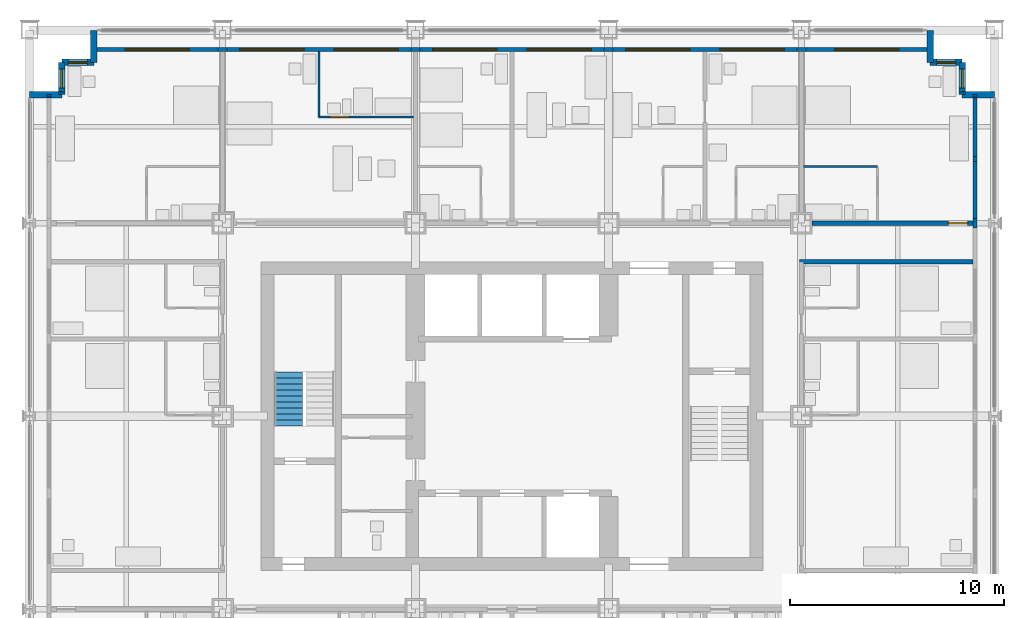
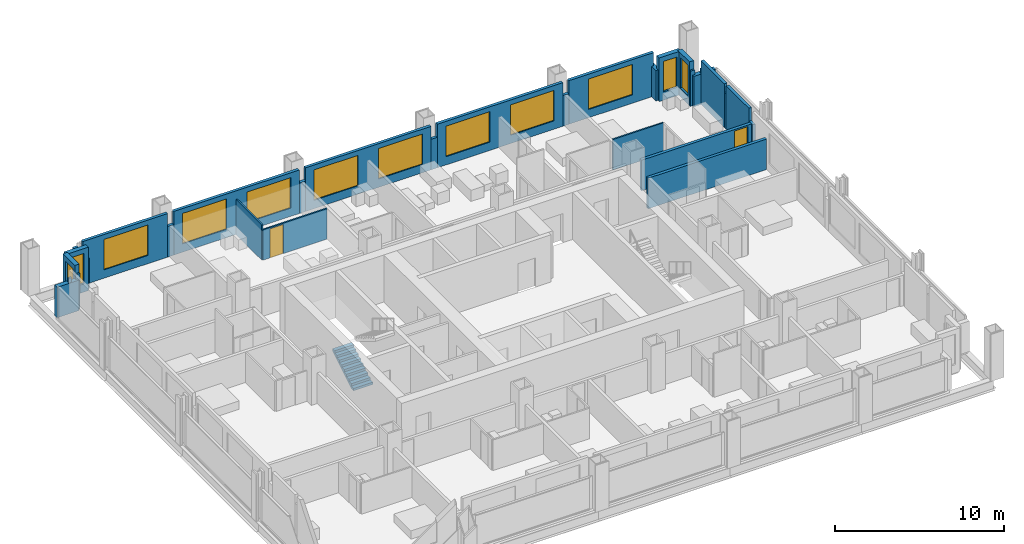
# One storey, part 13 of 17: 30 walls, 12 windows, 2 doors, 1 stair flight, 14 openings, 1 element without a shape of its own.
"""IFC4 building model written with IfcOpenShell, lengths in metres."""

from ifc_helpers import new_model, si_unit, direction, frame, frame_2d, origin, place, context, subcontext, project, spatial, polyline, rectangle, outline, extrude, material, layer, layer_set, type_object, element, fill, aggregate, save


model = new_model("IFC4")

# Units and contexts
model_context = context("Model", 3, precision=1e-05, world=origin(), true_north=direction((0.0, 1.0)))
body_context = subcontext(model_context, "Body", "Model", "MODEL_VIEW")
ifc_project = project(units=[si_unit("LENGTHUNIT", "METRE"), si_unit("AREAUNIT", "SQUARE_METRE"), si_unit("VOLUMEUNIT", "CUBIC_METRE"), si_unit("PLANEANGLEUNIT", "RADIAN"), si_unit("MASSUNIT", "GRAM", prefix="KILO")], contexts=[model_context])

# Site, building, storey
site_placement = place(None, origin())
site = spatial("IfcSite", under=ifc_project, at=site_placement, CompositionType="ELEMENT")
building_placement = place(site_placement, origin())
building = spatial("IfcBuilding", under=site, at=building_placement, Name="Loomwork Tower", CompositionType="ELEMENT")
storey_placement = place(building_placement, frame((0.0, 0.0, 152.0)))
storey = spatial("IfcBuildingStorey", under=building, at=storey_placement, Name="L41", CompositionType="ELEMENT", Elevation=152.0)

# Wall, opening, door
ifc_material_1 = material(Name="Gypsum board on steel studs, one-hour", Category="steel")
ifc_layer_1 = layer(ifc_material_1, 0.199951171875)
ifc_layer_set_1 = layer_set([ifc_layer_1], Name="Corridor wall 200")
wall_type_1 = type_object("IfcWallType", Name="Corridor wall 200", PredefinedType="PARTITIONING", material=ifc_layer_set_1)
wall_1_placement = place(storey_placement, frame((36.5, 27.0, 0.0), z_axis=(0.0, 0.0, 1.0), x_axis=(1.0, 0.0, 0.0)))
wall_1 = element("IfcWall", 1, at=wall_1_placement, inside=storey, type_object=wall_type_1, Name="North corridor wall 5", PredefinedType="PARTITIONING", context=body_context, shape_type="SweptSolid", body=[
    extrude(rectangle(XDim=7.5, YDim=0.199951171875, at=frame_2d((3.75, 0.0))), origin(), (0.0, 0.0, 1.0), 2.210205078125),
])
opening_1_placement = place(wall_1_placement, frame((6.35009765625, 0.0, 0.0)))
opening_1 = element("IfcOpeningElement", 2, at=opening_1_placement, cuts=wall_1, Name="Opening D1", PredefinedType="OPENING", context=body_context, shape_type="SweptSolid", body=[
    extrude(rectangle(XDim=0.89990234375, YDim=2.10009765625, at=frame_2d((0.449951171875, 1.050048828125))), frame((0.0, 0.10986328125, 0.0), z_axis=(0.0, -1.0, 0.0), x_axis=(1.0, 0.0, 0.0)), (0.0, 0.0, 1.0), 0.219970703125),
])
ifc_material_2 = material(Name="Hollow metal door and frame")
door_type_1 = type_object("IfcDoorType", Name="Guest room entry door 900", OperationType="SINGLE_SWING_LEFT", PredefinedType="DOOR", material=ifc_material_2)
door_1_placement = place(opening_1_placement, origin())
door_1 = element("IfcDoor", 3, at=door_1_placement, inside=storey, type_object=door_type_1, Name="Guest room entry door L41 12", OperationType="SINGLE_SWING_RIGHT", OverallHeight=2.10009765625, OverallWidth=0.89990234375, PredefinedType="DOOR", context=body_context, shape_type="SweptSolid", body=[
    extrude(rectangle(XDim=0.89990234375, YDim=2.10009765625, at=frame_2d((0.449951171875, 1.050048828125))), frame((0.0, 0.02490234375, 0.0), z_axis=(0.0, -1.0, 0.0), x_axis=(1.0, 0.0, 0.0)), (0.0, 0.0, 1.0), 0.050048828125),
])
fill(opening_1, door_1)

# Wall
wall_2_placement = place(storey_placement, frame((35.89990234375, 25.199951171875, 0.0), z_axis=(0.0, 0.0, 1.0), x_axis=(1.0, 0.0, 0.0)))
element("IfcWall", 4, at=wall_2_placement, inside=storey, type_object=wall_type_1, Name="East band end wall N", PredefinedType="PARTITIONING", context=body_context, shape_type="SweptSolid", body=[
    extrude(rectangle(XDim=8.10009765625, YDim=0.199951171875, at=frame_2d((4.050048828125, 0.0))), origin(), (0.0, 0.0, 1.0), 2.2099609375),
])

# Wall, opening, door
ifc_material_3 = material(Name="Cement board on steel studs", Category="steel")
ifc_layer_2 = layer(ifc_material_3, 0.10009765625)
ifc_layer_set_2 = layer_set([ifc_layer_2], Name="En-suite partition 100")
wall_type_2 = type_object("IfcWallType", Name="En-suite partition 100", PredefinedType="PARTITIONING", material=ifc_layer_set_2)
wall_3_placement = place(storey_placement, frame((13.5, 31.949951171875, 0.0), z_axis=(0.0, 0.0, 1.0), x_axis=(1.0, 0.0, 0.0)))
wall_3 = element("IfcWall", 5, at=wall_3_placement, inside=storey, type_object=wall_type_2, Name="Spa bathroom wall L41 room 8", PredefinedType="PARTITIONING", context=body_context, shape_type="SweptSolid", body=[
    extrude(rectangle(XDim=4.39990234375, YDim=0.10009765625, at=frame_2d((2.199951171875, 0.0))), origin(), (0.0, 0.0, 1.0), 2.201904296875),
])
opening_2_placement = place(wall_3_placement, frame((0.5, 0.0, 0.0)))
opening_2 = element("IfcOpeningElement", 6, at=opening_2_placement, cuts=wall_3, Name="Opening D2", PredefinedType="OPENING", context=body_context, shape_type="SweptSolid", body=[
    extrude(rectangle(XDim=0.89990234375, YDim=2.10009765625, at=frame_2d((0.449951171875, 1.050048828125))), frame((0.0, 0.06005859375, 0.0), z_axis=(0.0, -1.0, 0.0), x_axis=(1.0, 0.0, 0.0)), (0.0, 0.0, 1.0), 0.1201171875),
])
ifc_material_4 = material(Name="Hollow metal door and frame")
door_type_2 = type_object("IfcDoorType", Name="En-suite door 900", OperationType="SINGLE_SWING_LEFT", PredefinedType="DOOR", material=ifc_material_4)
door_2_placement = place(opening_2_placement, origin())
door_2 = element("IfcDoor", 7, at=door_2_placement, inside=storey, type_object=door_type_2, Name="Spa bathroom door room 8", OperationType="SINGLE_SWING_LEFT", OverallHeight=2.10009765625, OverallWidth=0.89990234375, PredefinedType="DOOR", context=body_context, shape_type="SweptSolid", body=[
    extrude(rectangle(XDim=0.89990234375, YDim=2.10009765625, at=frame_2d((0.449951171875, 1.050048828125))), frame((0.0, 0.02490234375, 0.0), z_axis=(0.0, -1.0, 0.0), x_axis=(1.0, 0.0, 0.0)), (0.0, 0.0, 1.0), 0.050048828125),
])
fill(opening_2, door_2)

# Walls
wall_4_placement = place(storey_placement, frame((13.5, 31.949951171875, 0.0), z_axis=(0.0, 0.0, 1.0), x_axis=(0.0, 1.0, 0.0)))
element("IfcWall", 8, at=wall_4_placement, inside=storey, type_object=wall_type_2, Name="Spa bathroom side wall L41 room 8", PredefinedType="PARTITIONING", context=body_context, shape_type="SweptSolid", body=[
    extrude(rectangle(XDim=3.050048828125, YDim=0.10009765625, at=frame_2d((1.52490234375, 0.0))), origin(), (0.0, 0.0, 1.0), 2.5419921875),
])
wall_5_placement = place(storey_placement, frame((36.10009765625, 29.64990234375, 0.0), z_axis=(0.0, 0.0, 1.0), x_axis=(1.0, 0.0, 0.0)))
element("IfcWall", 9, at=wall_5_placement, inside=storey, type_object=wall_type_2, Name="En-suite wall L41 room 12", PredefinedType="PARTITIONING", context=body_context, shape_type="SweptSolid", body=[
    extrude(rectangle(XDim=3.449951171875, YDim=0.10009765625, at=frame_2d((1.72509765625, 0.0))), origin(), (0.0, 0.0, 1.0), 2.2099609375),
])

# Wall, opening, window
ifc_material_5 = material(Name="Insulated steel stud wall with gypsum lining", Category="steel")
ifc_layer_3 = layer(ifc_material_5, 0.199951171875)
ifc_layer_set_3 = layer_set([ifc_layer_3], Name="Inner skin wall 200")
wall_type_3 = type_object("IfcWallType", Name="Inner skin wall 200", PredefinedType="SOLIDWALL", material=ifc_layer_set_3)
wall_6_placement = place(storey_placement, frame((3.0, 35.10009765625, 0.0), z_axis=(0.0, 0.0, 1.0), x_axis=(1.0, 0.0, 0.0)))
wall_6 = element("IfcWall", 10, at=wall_6_placement, inside=storey, type_object=wall_type_3, Name="Inner skin wall N", PredefinedType="SOLIDWALL", context=body_context, shape_type="SweptSolid", body=[
    extrude(rectangle(XDim=5.78466796875, YDim=0.199951171875, at=frame_2d((2.892333984375, 0.0))), origin(), (0.0, 0.0, 1.0), 3.14990234375),
])
opening_3_placement = place(wall_6_placement, frame((1.449951171875, 0.0, 0.60009765625)))
opening_3 = element("IfcOpeningElement", 11, at=opening_3_placement, cuts=wall_6, Name="Opening CH1", PredefinedType="OPENING", context=body_context, shape_type="SweptSolid", body=[
    extrude(rectangle(XDim=3.0, YDim=2.199951171875, at=frame_2d((1.5, 1.10009765625))), frame((0.0, 0.10986328125, 0.0), z_axis=(0.0, -1.0, 0.0), x_axis=(1.0, 0.0, 0.0)), (0.0, 0.0, 1.0), 0.219970703125),
])
ifc_material_6 = material(Name="Aluminium frame with clear insulated glass", Category="aluminium")
window_type_1 = type_object("IfcWindowType", Name="Chicago window 3000", PartitioningType="TRIPLE_PANEL_VERTICAL", PredefinedType="WINDOW", material=ifc_material_6)
window_1_placement = place(opening_3_placement, origin())
window_1 = element("IfcWindow", 12, at=window_1_placement, inside=storey, type_object=window_type_1, Name="Chicago window L41 bay 6", OverallHeight=2.199951171875, OverallWidth=3.0, PartitioningType="TRIPLE_PANEL_VERTICAL", PredefinedType="WINDOW", context=body_context, shape_type="SweptSolid", body=[
    extrude(rectangle(XDim=3.0, YDim=2.199951171875, at=frame_2d((1.5, 1.10009765625))), frame((0.0, 0.030029296875, 0.0), z_axis=(0.0, -1.0, 0.0), x_axis=(1.0, 0.0, 0.0)), (0.0, 0.0, 1.0), 0.06005859375),
])
fill(opening_3, window_1)

# Walls
wall_7_placement = place(storey_placement, frame((0.89990234375, 32.8837890625, 0.0), z_axis=(0.0, 0.0, 1.0), x_axis=(0.0, 1.0, 0.0)))
element("IfcWall", 13, at=wall_7_placement, inside=storey, type_object=wall_type_3, Name="Inner skin wall W bay 13", PredefinedType="SOLIDWALL", context=body_context, shape_type="SweptSolid", body=[
    extrude(rectangle(XDim=0.1162109375, YDim=0.199951171875, at=frame_2d((0.05810546875, 0.0))), origin(), (0.0, 0.0, 1.0), 2.5419921875),
])
wall_8_placement = place(storey_placement, frame((8.78466796875, 35.10009765625, 0.0), z_axis=(0.0, 0.0, 1.0), x_axis=(1.0, 0.0, 0.0)))
element("IfcWall", 14, at=wall_8_placement, inside=storey, type_object=wall_type_3, Name="Inner skin wall N bay 2", PredefinedType="SOLIDWALL", context=body_context, shape_type="SweptSolid", body=[
    extrude(rectangle(XDim=0.4306640625, YDim=0.199951171875, at=frame_2d((0.21533203125, 0.0))), origin(), (0.0, 0.0, 1.0), 2.2099609375),
])

# Wall, openings, windows
wall_9_placement = place(storey_placement, frame((9.21533203125, 35.10009765625, 0.0), z_axis=(0.0, 0.0, 1.0), x_axis=(1.0, 0.0, 0.0)))
wall_9 = element("IfcWall", 15, at=wall_9_placement, inside=storey, type_object=wall_type_3, Name="Inner skin wall N bay 3", PredefinedType="SOLIDWALL", context=body_context, shape_type="SweptSolid", body=[
    extrude(rectangle(XDim=8.570556640625, YDim=0.199951171875, at=frame_2d((4.28515625, 0.0))), origin(), (0.0, 0.0, 1.0), 3.14990234375),
])
opening_4_placement = place(wall_9_placement, frame((0.584716796875, 0.0, 0.60009765625)))
opening_4 = element("IfcOpeningElement", 16, at=opening_4_placement, cuts=wall_9, Name="Opening CH1", PredefinedType="OPENING", context=body_context, shape_type="SweptSolid", body=[
    extrude(rectangle(XDim=3.0, YDim=2.199951171875, at=frame_2d((1.5, 1.10009765625))), frame((0.0, 0.10986328125, 0.0), z_axis=(0.0, -1.0, 0.0), x_axis=(1.0, 0.0, 0.0)), (0.0, 0.0, 1.0), 0.219970703125),
])
opening_5_placement = place(wall_9_placement, frame((4.984619140625, 0.0, 0.60009765625)))
opening_5 = element("IfcOpeningElement", 17, at=opening_5_placement, cuts=wall_9, Name="Opening CH1", PredefinedType="OPENING", context=body_context, shape_type="SweptSolid", body=[
    extrude(rectangle(XDim=3.0, YDim=2.199951171875, at=frame_2d((1.5, 1.10009765625))), frame((0.0, 0.10986328125, 0.0), z_axis=(0.0, -1.0, 0.0), x_axis=(1.0, 0.0, 0.0)), (0.0, 0.0, 1.0), 0.219970703125),
])
window_2_placement = place(opening_4_placement, origin())
window_2 = element("IfcWindow", 18, at=window_2_placement, inside=storey, type_object=window_type_1, Name="Chicago window L41 bay 7", OverallHeight=2.199951171875, OverallWidth=3.0, PartitioningType="TRIPLE_PANEL_VERTICAL", PredefinedType="WINDOW", context=body_context, shape_type="SweptSolid", body=[
    extrude(rectangle(XDim=3.0, YDim=2.199951171875, at=frame_2d((1.5, 1.10009765625))), frame((0.0, 0.030029296875, 0.0), z_axis=(0.0, -1.0, 0.0), x_axis=(1.0, 0.0, 0.0)), (0.0, 0.0, 1.0), 0.06005859375),
])
fill(opening_4, window_2)
window_3_placement = place(opening_5_placement, origin())
window_3 = element("IfcWindow", 19, at=window_3_placement, inside=storey, type_object=window_type_1, Name="Chicago window L41 bay 7", OverallHeight=2.199951171875, OverallWidth=3.0, PartitioningType="TRIPLE_PANEL_VERTICAL", PredefinedType="WINDOW", context=body_context, shape_type="SweptSolid", body=[
    extrude(rectangle(XDim=3.0, YDim=2.199951171875, at=frame_2d((1.5, 1.10009765625))), frame((0.0, 0.030029296875, 0.0), z_axis=(0.0, -1.0, 0.0), x_axis=(1.0, 0.0, 0.0)), (0.0, 0.0, 1.0), 0.06005859375),
])
fill(opening_5, window_3)

# Wall
wall_10_placement = place(storey_placement, frame((17.785888671875, 35.10009765625, 0.0), z_axis=(0.0, 0.0, 1.0), x_axis=(1.0, 0.0, 0.0)))
element("IfcWall", 20, at=wall_10_placement, inside=storey, type_object=wall_type_3, Name="Inner skin wall N bay 4", PredefinedType="SOLIDWALL", context=body_context, shape_type="SweptSolid", body=[
    extrude(rectangle(XDim=0.42822265625, YDim=0.199951171875, at=frame_2d((0.214111328125, 0.0))), origin(), (0.0, 0.0, 1.0), 2.201904296875),
])

# Wall, openings, windows
wall_11_placement = place(storey_placement, frame((18.214111328125, 35.10009765625, 0.0), z_axis=(0.0, 0.0, 1.0), x_axis=(1.0, 0.0, 0.0)))
wall_11 = element("IfcWall", 21, at=wall_11_placement, inside=storey, type_object=wall_type_3, Name="Inner skin wall N bay 5", PredefinedType="SOLIDWALL", context=body_context, shape_type="SweptSolid", body=[
    extrude(rectangle(XDim=8.57177734375, YDim=0.199951171875, at=frame_2d((4.285888671875, 0.0))), origin(), (0.0, 0.0, 1.0), 3.14990234375),
])
opening_6_placement = place(wall_11_placement, frame((0.5859375, 0.0, 0.60009765625)))
opening_6 = element("IfcOpeningElement", 22, at=opening_6_placement, cuts=wall_11, Name="Opening CH1", PredefinedType="OPENING", context=body_context, shape_type="SweptSolid", body=[
    extrude(rectangle(XDim=3.0, YDim=2.199951171875, at=frame_2d((1.5, 1.10009765625))), frame((0.0, 0.10986328125, 0.0), z_axis=(0.0, -1.0, 0.0), x_axis=(1.0, 0.0, 0.0)), (0.0, 0.0, 1.0), 0.219970703125),
])
opening_7_placement = place(wall_11_placement, frame((4.98583984375, 0.0, 0.60009765625)))
opening_7 = element("IfcOpeningElement", 23, at=opening_7_placement, cuts=wall_11, Name="Opening CH1", PredefinedType="OPENING", context=body_context, shape_type="SweptSolid", body=[
    extrude(rectangle(XDim=3.0, YDim=2.199951171875, at=frame_2d((1.5, 1.10009765625))), frame((0.0, 0.10986328125, 0.0), z_axis=(0.0, -1.0, 0.0), x_axis=(1.0, 0.0, 0.0)), (0.0, 0.0, 1.0), 0.219970703125),
])
window_4_placement = place(opening_6_placement, origin())
window_4 = element("IfcWindow", 24, at=window_4_placement, inside=storey, type_object=window_type_1, Name="Chicago window L41 bay 8", OverallHeight=2.199951171875, OverallWidth=3.0, PartitioningType="TRIPLE_PANEL_VERTICAL", PredefinedType="WINDOW", context=body_context, shape_type="SweptSolid", body=[
    extrude(rectangle(XDim=3.0, YDim=2.199951171875, at=frame_2d((1.5, 1.10009765625))), frame((0.0, 0.030029296875, 0.0), z_axis=(0.0, -1.0, 0.0), x_axis=(1.0, 0.0, 0.0)), (0.0, 0.0, 1.0), 0.06005859375),
])
fill(opening_6, window_4)
window_5_placement = place(opening_7_placement, origin())
window_5 = element("IfcWindow", 25, at=window_5_placement, inside=storey, type_object=window_type_1, Name="Chicago window L41 bay 8", OverallHeight=2.199951171875, OverallWidth=3.0, PartitioningType="TRIPLE_PANEL_VERTICAL", PredefinedType="WINDOW", context=body_context, shape_type="SweptSolid", body=[
    extrude(rectangle(XDim=3.0, YDim=2.199951171875, at=frame_2d((1.5, 1.10009765625))), frame((0.0, 0.030029296875, 0.0), z_axis=(0.0, -1.0, 0.0), x_axis=(1.0, 0.0, 0.0)), (0.0, 0.0, 1.0), 0.06005859375),
])
fill(opening_7, window_5)

# Wall
wall_12_placement = place(storey_placement, frame((26.785888671875, 35.10009765625, 0.0), z_axis=(0.0, 0.0, 1.0), x_axis=(1.0, 0.0, 0.0)))
element("IfcWall", 26, at=wall_12_placement, inside=storey, type_object=wall_type_3, Name="Inner skin wall N bay 6", PredefinedType="SOLIDWALL", context=body_context, shape_type="SweptSolid", body=[
    extrude(rectangle(XDim=0.42822265625, YDim=0.199951171875, at=frame_2d((0.214111328125, 0.0))), origin(), (0.0, 0.0, 1.0), 2.201904296875),
])

# Wall, openings, windows
wall_13_placement = place(storey_placement, frame((27.214111328125, 35.10009765625, 0.0), z_axis=(0.0, 0.0, 1.0), x_axis=(1.0, 0.0, 0.0)))
wall_13 = element("IfcWall", 27, at=wall_13_placement, inside=storey, type_object=wall_type_3, Name="Inner skin wall N bay 7", PredefinedType="SOLIDWALL", context=body_context, shape_type="SweptSolid", body=[
    extrude(rectangle(XDim=8.570556640625, YDim=0.199951171875, at=frame_2d((4.28515625, 0.0))), origin(), (0.0, 0.0, 1.0), 3.14990234375),
])
opening_8_placement = place(wall_13_placement, frame((0.5859375, 0.0, 0.60009765625)))
opening_8 = element("IfcOpeningElement", 28, at=opening_8_placement, cuts=wall_13, Name="Opening CH1", PredefinedType="OPENING", context=body_context, shape_type="SweptSolid", body=[
    extrude(rectangle(XDim=3.0, YDim=2.199951171875, at=frame_2d((1.5, 1.10009765625))), frame((0.0, 0.10986328125, 0.0), z_axis=(0.0, -1.0, 0.0), x_axis=(1.0, 0.0, 0.0)), (0.0, 0.0, 1.0), 0.219970703125),
])
opening_9_placement = place(wall_13_placement, frame((4.98583984375, 0.0, 0.60009765625)))
opening_9 = element("IfcOpeningElement", 29, at=opening_9_placement, cuts=wall_13, Name="Opening CH1", PredefinedType="OPENING", context=body_context, shape_type="SweptSolid", body=[
    extrude(rectangle(XDim=3.0, YDim=2.199951171875, at=frame_2d((1.5, 1.10009765625))), frame((0.0, 0.10986328125, 0.0), z_axis=(0.0, -1.0, 0.0), x_axis=(1.0, 0.0, 0.0)), (0.0, 0.0, 1.0), 0.219970703125),
])
window_6_placement = place(opening_8_placement, origin())
window_6 = element("IfcWindow", 30, at=window_6_placement, inside=storey, type_object=window_type_1, Name="Chicago window L41 bay 9", OverallHeight=2.199951171875, OverallWidth=3.0, PartitioningType="TRIPLE_PANEL_VERTICAL", PredefinedType="WINDOW", context=body_context, shape_type="SweptSolid", body=[
    extrude(rectangle(XDim=3.0, YDim=2.199951171875, at=frame_2d((1.5, 1.10009765625))), frame((0.0, 0.030029296875, 0.0), z_axis=(0.0, -1.0, 0.0), x_axis=(1.0, 0.0, 0.0)), (0.0, 0.0, 1.0), 0.06005859375),
])
fill(opening_8, window_6)
window_7_placement = place(opening_9_placement, origin())
window_7 = element("IfcWindow", 31, at=window_7_placement, inside=storey, type_object=window_type_1, Name="Chicago window L41 bay 9", OverallHeight=2.199951171875, OverallWidth=3.0, PartitioningType="TRIPLE_PANEL_VERTICAL", PredefinedType="WINDOW", context=body_context, shape_type="SweptSolid", body=[
    extrude(rectangle(XDim=3.0, YDim=2.199951171875, at=frame_2d((1.5, 1.10009765625))), frame((0.0, 0.030029296875, 0.0), z_axis=(0.0, -1.0, 0.0), x_axis=(1.0, 0.0, 0.0)), (0.0, 0.0, 1.0), 0.06005859375),
])
fill(opening_9, window_7)

# Wall
wall_14_placement = place(storey_placement, frame((35.78466796875, 35.10009765625, 0.0), z_axis=(0.0, 0.0, 1.0), x_axis=(1.0, 0.0, 0.0)))
element("IfcWall", 32, at=wall_14_placement, inside=storey, type_object=wall_type_3, Name="Inner skin wall N bay 8", PredefinedType="SOLIDWALL", context=body_context, shape_type="SweptSolid", body=[
    extrude(rectangle(XDim=0.4306640625, YDim=0.199951171875, at=frame_2d((0.21533203125, 0.0))), origin(), (0.0, 0.0, 1.0), 2.2099609375),
])

# Wall, opening, window
wall_15_placement = place(storey_placement, frame((36.21533203125, 35.10009765625, 0.0), z_axis=(0.0, 0.0, 1.0), x_axis=(1.0, 0.0, 0.0)))
wall_15 = element("IfcWall", 33, at=wall_15_placement, inside=storey, type_object=wall_type_3, Name="Inner skin wall N bay 9", PredefinedType="SOLIDWALL", context=body_context, shape_type="SweptSolid", body=[
    extrude(rectangle(XDim=5.78466796875, YDim=0.199951171875, at=frame_2d((2.892333984375, 0.0))), origin(), (0.0, 0.0, 1.0), 3.14990234375),
])
opening_10_placement = place(wall_15_placement, frame((1.334716796875, 0.0, 0.60009765625)))
opening_10 = element("IfcOpeningElement", 34, at=opening_10_placement, cuts=wall_15, Name="Opening CH1", PredefinedType="OPENING", context=body_context, shape_type="SweptSolid", body=[
    extrude(rectangle(XDim=3.0, YDim=2.199951171875, at=frame_2d((1.5, 1.10009765625))), frame((0.0, 0.10986328125, 0.0), z_axis=(0.0, -1.0, 0.0), x_axis=(1.0, 0.0, 0.0)), (0.0, 0.0, 1.0), 0.219970703125),
])
window_8_placement = place(opening_10_placement, origin())
window_8 = element("IfcWindow", 35, at=window_8_placement, inside=storey, type_object=window_type_1, Name="Chicago window L41 bay 10", OverallHeight=2.199951171875, OverallWidth=3.0, PartitioningType="TRIPLE_PANEL_VERTICAL", PredefinedType="WINDOW", context=body_context, shape_type="SweptSolid", body=[
    extrude(rectangle(XDim=3.0, YDim=2.199951171875, at=frame_2d((1.5, 1.10009765625))), frame((0.0, 0.030029296875, 0.0), z_axis=(0.0, -1.0, 0.0), x_axis=(1.0, 0.0, 0.0)), (0.0, 0.0, 1.0), 0.06005859375),
])
fill(opening_10, window_8)

# Walls
wall_16_placement = place(storey_placement, frame((44.10009765625, 26.78466796875, 0.0), z_axis=(0.0, 0.0, 1.0), x_axis=(0.0, 1.0, 0.0)))
element("IfcWall", 36, at=wall_16_placement, inside=storey, type_object=wall_type_3, Name="Inner skin wall E bay 9", PredefinedType="SOLIDWALL", context=body_context, shape_type="SweptSolid", body=[
    extrude(rectangle(XDim=0.4306640625, YDim=0.199951171875, at=frame_2d((0.21533203125, 0.0))), origin(), (0.0, 0.0, 1.0), 2.2099609375),
])
wall_17_placement = place(storey_placement, frame((44.10009765625, 27.21533203125, 0.0), z_axis=(0.0, 0.0, 1.0), x_axis=(0.0, 1.0, 0.0)))
element("IfcWall", 37, at=wall_17_placement, inside=storey, type_object=wall_type_3, Name="Inner skin wall E bay 10", PredefinedType="SOLIDWALL", context=body_context, shape_type="SweptSolid", body=[
    extrude(rectangle(XDim=2.66845703125, YDim=0.199951171875, at=frame_2d((1.334228515625, 0.0))), origin(), (0.0, 0.0, 1.0), 3.14990234375),
])
wall_18_placement = place(storey_placement, frame((44.10009765625, 29.8837890625, 0.0), z_axis=(0.0, 0.0, 1.0), x_axis=(0.0, 1.0, 0.0)))
element("IfcWall", 38, at=wall_18_placement, inside=storey, type_object=wall_type_3, Name="Inner skin wall E bay 11", PredefinedType="SOLIDWALL", context=body_context, shape_type="SweptSolid", body=[
    extrude(rectangle(XDim=0.232421875, YDim=0.199951171875, at=frame_2d((0.1162109375, 0.0))), origin(), (0.0, 0.0, 1.0), 2.5419921875),
])
wall_19_placement = place(storey_placement, frame((44.10009765625, 30.1162109375, 0.0), z_axis=(0.0, 0.0, 1.0), x_axis=(0.0, 1.0, 0.0)))
element("IfcWall", 39, at=wall_19_placement, inside=storey, type_object=wall_type_3, Name="Inner skin wall E bay 12", PredefinedType="SOLIDWALL", context=body_context, shape_type="SweptSolid", body=[
    extrude(rectangle(XDim=2.767578125, YDim=0.199951171875, at=frame_2d((1.3837890625, 0.0))), origin(), (0.0, 0.0, 1.0), 3.14990234375),
])
wall_20_placement = place(storey_placement, frame((44.10009765625, 32.8837890625, 0.0), z_axis=(0.0, 0.0, 1.0), x_axis=(0.0, 1.0, 0.0)))
element("IfcWall", 40, at=wall_20_placement, inside=storey, type_object=wall_type_3, Name="Inner skin wall E bay 13", PredefinedType="SOLIDWALL", context=body_context, shape_type="SweptSolid", body=[
    extrude(rectangle(XDim=0.1162109375, YDim=0.199951171875, at=frame_2d((0.05810546875, 0.0))), origin(), (0.0, 0.0, 1.0), 2.5419921875),
])
ifc_material_7 = material(Name="Limestone on concrete masonry", Category="masonry")
ifc_layer_4 = layer(ifc_material_7, 0.300048828125)
ifc_layer_set_4 = layer_set([ifc_layer_4], Name="Limestone corner wall 300")
wall_type_4 = type_object("IfcWallType", Name="Limestone corner wall 300", PredefinedType="SOLIDWALL", material=ifc_layer_set_4)
wall_21_placement = place(storey_placement, frame((45.0, 33.0, 0.0), z_axis=(0.0, 0.0, 1.0), x_axis=(-1.0, 0.0, 0.0)))
element("IfcWall", 41, at=wall_21_placement, inside=storey, type_object=wall_type_4, Name="Stone corner wall NE 1", PredefinedType="SOLIDWALL", context=body_context, shape_type="SweptSolid", body=[
    extrude(rectangle(XDim=1.5, YDim=0.300048828125, at=frame_2d((0.75, 0.0))), origin(), (0.0, 0.0, 1.0), 2.201904296875),
])
wall_22_placement = place(storey_placement, frame((43.5, 33.0, 0.0), z_axis=(0.0, 0.0, 1.0), x_axis=(0.0, 1.0, 0.0)))
element("IfcWall", 42, at=wall_22_placement, inside=storey, type_object=wall_type_4, Name="Stone corner wall NE 2", PredefinedType="SOLIDWALL", context=body_context, shape_type="SweptSolid", body=[
    extrude(rectangle(XDim=0.1162109375, YDim=0.300048828125, at=frame_2d((0.05810546875, 0.0))), origin(), (0.0, 0.0, 1.0), 2.5419921875),
])

# Wall, opening, window
wall_23_placement = place(storey_placement, frame((43.5, 34.5, 0.0), z_axis=(0.0, 0.0, 1.0), x_axis=(-1.0, 0.0, 0.0)))
wall_23 = element("IfcWall", 43, at=wall_23_placement, inside=storey, type_object=wall_type_4, Name="Stone corner wall NE 3", PredefinedType="SOLIDWALL", context=body_context, shape_type="SweptSolid", body=[
    extrude(rectangle(XDim=1.5, YDim=0.300048828125, at=frame_2d((0.75, 0.0))), origin(), (0.0, 0.0, 1.0), 3.14990234375),
])
opening_11_placement = place(wall_23_placement, frame((0.300048828125, 0.0, 0.60009765625)))
opening_11 = element("IfcOpeningElement", 44, at=opening_11_placement, cuts=wall_23, Name="Opening CH2", PredefinedType="OPENING", context=body_context, shape_type="SweptSolid", body=[
    extrude(rectangle(XDim=0.89990234375, YDim=2.199951171875, at=frame_2d((0.449951171875, 1.10009765625))), frame((0.0, 0.159912109375, 0.0), z_axis=(0.0, -1.0, 0.0), x_axis=(1.0, 0.0, 0.0)), (0.0, 0.0, 1.0), 0.320068359375),
])
ifc_material_8 = material(Name="Aluminium frame with clear insulated glass", Category="aluminium")
window_type_2 = type_object("IfcWindowType", Name="Corner window 900", PartitioningType="SINGLE_PANEL", PredefinedType="WINDOW", material=ifc_material_8)
window_9_placement = place(opening_11_placement, origin())
window_9 = element("IfcWindow", 45, at=window_9_placement, inside=storey, type_object=window_type_2, Name="Corner window NE", OverallHeight=2.199951171875, OverallWidth=0.89990234375, PartitioningType="SINGLE_PANEL", PredefinedType="WINDOW", context=body_context, shape_type="SweptSolid", body=[
    extrude(rectangle(XDim=0.89990234375, YDim=2.199951171875, at=frame_2d((0.449951171875, 1.10009765625))), frame((0.0, 0.030029296875, 0.0), z_axis=(0.0, -1.0, 0.0), x_axis=(1.0, 0.0, 0.0)), (0.0, 0.0, 1.0), 0.06005859375),
])
fill(opening_11, window_9)

# Walls
for number, where, z_axis, x_axis, name in (
    (46, (42.0, 34.5, 0.0), (0.0, 0.0, 1.0), (0.0, 1.0, 0.0), "Stone corner wall NE 4"),
    (47, (3.0, 36.0, 0.0), (0.0, 0.0, 1.0), (0.0, -1.0, 0.0), "Stone corner wall NW 1"),
):
    element("IfcWall", number, at=place(storey_placement, frame(where, z_axis=z_axis, x_axis=x_axis)), inside=storey, type_object=wall_type_4, Name=name, PredefinedType="SOLIDWALL", context=body_context, shape_type="SweptSolid", body=[
        extrude(rectangle(XDim=1.5, YDim=0.300048828125, at=frame_2d((0.75, 0.0))), origin(), (0.0, 0.0, 1.0), 2.201904296875),
    ])

# Wall, opening, window
wall_24_placement = place(storey_placement, frame((3.0, 34.5, 0.0), z_axis=(0.0, 0.0, 1.0), x_axis=(-1.0, 0.0, 0.0)))
wall_24 = element("IfcWall", 48, at=wall_24_placement, inside=storey, type_object=wall_type_4, Name="Stone corner wall NW 2", PredefinedType="SOLIDWALL", context=body_context, shape_type="SweptSolid", body=[
    extrude(rectangle(XDim=1.5, YDim=0.300048828125, at=frame_2d((0.75, 0.0))), origin(), (0.0, 0.0, 1.0), 3.14990234375),
])
opening_12_placement = place(wall_24_placement, frame((0.300048828125, 0.0, 0.60009765625)))
opening_12 = element("IfcOpeningElement", 49, at=opening_12_placement, cuts=wall_24, Name="Opening CH2", PredefinedType="OPENING", context=body_context, shape_type="SweptSolid", body=[
    extrude(rectangle(XDim=0.89990234375, YDim=2.199951171875, at=frame_2d((0.449951171875, 1.10009765625))), frame((0.0, 0.159912109375, 0.0), z_axis=(0.0, -1.0, 0.0), x_axis=(1.0, 0.0, 0.0)), (0.0, 0.0, 1.0), 0.320068359375),
])
window_10_placement = place(opening_12_placement, origin())
window_10 = element("IfcWindow", 50, at=window_10_placement, inside=storey, type_object=window_type_2, Name="Corner window NW", OverallHeight=2.199951171875, OverallWidth=0.89990234375, PartitioningType="SINGLE_PANEL", PredefinedType="WINDOW", context=body_context, shape_type="SweptSolid", body=[
    extrude(rectangle(XDim=0.89990234375, YDim=2.199951171875, at=frame_2d((0.449951171875, 1.10009765625))), frame((0.0, 0.030029296875, 0.0), z_axis=(0.0, -1.0, 0.0), x_axis=(1.0, 0.0, 0.0)), (0.0, 0.0, 1.0), 0.06005859375),
])
fill(opening_12, window_10)

wall_25_placement = place(storey_placement, frame((1.5, 34.5, 0.0), z_axis=(0.0, 0.0, 1.0), x_axis=(0.0, -1.0, 0.0)))
wall_25 = element("IfcWall", 51, at=wall_25_placement, inside=storey, type_object=wall_type_4, Name="Stone corner wall NW 3", PredefinedType="SOLIDWALL", context=body_context, shape_type="SweptSolid", body=[
    extrude(rectangle(XDim=1.3837890625, YDim=0.300048828125, at=frame_2d((0.69189453125, 0.0))), origin(), (0.0, 0.0, 1.0), 3.14990234375),
])
opening_13_placement = place(wall_25_placement, frame((0.300048828125, 0.0, 0.60009765625)))
opening_13 = element("IfcOpeningElement", 52, at=opening_13_placement, cuts=wall_25, Name="Opening CH2", PredefinedType="OPENING", context=body_context, shape_type="SweptSolid", body=[
    extrude(rectangle(XDim=0.89990234375, YDim=2.199951171875, at=frame_2d((0.449951171875, 1.10009765625))), frame((0.0, 0.159912109375, 0.0), z_axis=(0.0, -1.0, 0.0), x_axis=(1.0, 0.0, 0.0)), (0.0, 0.0, 1.0), 0.320068359375),
])
window_11_placement = place(opening_13_placement, origin())
window_11 = element("IfcWindow", 53, at=window_11_placement, inside=storey, type_object=window_type_2, Name="Corner window NW", OverallHeight=2.199951171875, OverallWidth=0.89990234375, PartitioningType="SINGLE_PANEL", PredefinedType="WINDOW", context=body_context, shape_type="SweptSolid", body=[
    extrude(rectangle(XDim=0.89990234375, YDim=2.199951171875, at=frame_2d((0.449951171875, 1.10009765625))), frame((0.0, 0.030029296875, 0.0), z_axis=(0.0, -1.0, 0.0), x_axis=(1.0, 0.0, 0.0)), (0.0, 0.0, 1.0), 0.06005859375),
])
fill(opening_13, window_11)

# Wall
wall_26_placement = place(storey_placement, frame((1.5, 33.0, 0.0), z_axis=(0.0, 0.0, 1.0), x_axis=(-1.0, 0.0, 0.0)))
element("IfcWall", 54, at=wall_26_placement, inside=storey, type_object=wall_type_4, Name="Stone corner wall NW 4", PredefinedType="SOLIDWALL", context=body_context, shape_type="SweptSolid", body=[
    extrude(rectangle(XDim=1.5, YDim=0.300048828125, at=frame_2d((0.75, 0.0))), origin(), (0.0, 0.0, 1.0), 2.201904296875),
])

# Wall, opening, window
wall_27_placement = place(storey_placement, frame((43.5, 33.1162109375, 0.0), z_axis=(0.0, 0.0, 1.0), x_axis=(0.0, 1.0, 0.0)))
wall_27 = element("IfcWall", 55, at=wall_27_placement, inside=storey, type_object=wall_type_4, Name="Stone corner wall NE 2 bay 2", PredefinedType="SOLIDWALL", context=body_context, shape_type="SweptSolid", body=[
    extrude(rectangle(XDim=1.3837890625, YDim=0.300048828125, at=frame_2d((0.69189453125, 0.0))), origin(), (0.0, 0.0, 1.0), 3.14990234375),
])
opening_14_placement = place(wall_27_placement, frame((0.183837890625, 0.0, 0.60009765625)))
opening_14 = element("IfcOpeningElement", 56, at=opening_14_placement, cuts=wall_27, Name="Opening CH2", PredefinedType="OPENING", context=body_context, shape_type="SweptSolid", body=[
    extrude(rectangle(XDim=0.89990234375, YDim=2.199951171875, at=frame_2d((0.449951171875, 1.10009765625))), frame((0.0, 0.159912109375, 0.0), z_axis=(0.0, -1.0, 0.0), x_axis=(1.0, 0.0, 0.0)), (0.0, 0.0, 1.0), 0.320068359375),
])
window_12_placement = place(opening_14_placement, origin())
window_12 = element("IfcWindow", 57, at=window_12_placement, inside=storey, type_object=window_type_2, Name="Corner window NE", OverallHeight=2.199951171875, OverallWidth=0.89990234375, PartitioningType="SINGLE_PANEL", PredefinedType="WINDOW", context=body_context, shape_type="SweptSolid", body=[
    extrude(rectangle(XDim=0.89990234375, YDim=2.199951171875, at=frame_2d((0.449951171875, 1.10009765625))), frame((0.0, 0.030029296875, 0.0), z_axis=(0.0, -1.0, 0.0), x_axis=(1.0, 0.0, 0.0)), (0.0, 0.0, 1.0), 0.06005859375),
])
fill(opening_14, window_12)

# Wall
wall_28_placement = place(storey_placement, frame((1.5, 33.1162109375, 0.0), z_axis=(0.0, 0.0, 1.0), x_axis=(0.0, -1.0, 0.0)))
element("IfcWall", 58, at=wall_28_placement, inside=storey, type_object=wall_type_4, Name="Stone corner wall NW 3 bay 2", PredefinedType="SOLIDWALL", context=body_context, shape_type="SweptSolid", body=[
    extrude(rectangle(XDim=0.1162109375, YDim=0.300048828125, at=frame_2d((0.05810546875, 0.0))), origin(), (0.0, 0.0, 1.0), 2.5419921875),
])

# Stair, stair flight
ifc_material_9 = material(Name="Concrete 5000 psi (34 MPa) precast stair", Category="concrete")
stair_type = type_object("IfcStairType", Name="Stair ST-A 20 risers 2850 wide", PredefinedType="HALF_TURN_STAIR", material=ifc_material_9)
stair_placement = place(storey_placement, origin())
stair = element("IfcStair", 59, at=stair_placement, inside=storey, type_object=stair_type, Name="Stair A L41", PredefinedType="HALF_TURN_STAIR")
ifc_material_10 = material(Name="Concrete 5000 psi (34 MPa) precast stair", Category="concrete")
stair_flight_type = type_object("IfcStairFlightType", Name="Stair flight ST-A 10 risers 1300 wide", PredefinedType="STRAIGHT", material=ifc_material_10)
stair_flight_placement = place(storey_placement, frame((12.074951171875, 17.550048828125, 0.0), z_axis=(0.0, 0.0, 1.0), x_axis=(0.0, 1.0, 0.0)))
stair_flight = element("IfcStairFlight", 60, at=stair_flight_placement, type_object=stair_flight_type, Name="ST-A flight 1", NumberOfRisers=10, NumberOfTreads=9, PredefinedType="STRAIGHT", RiserHeight=0.17, TreadLength=0.28, context=body_context, shape_type="SweptSolid", body=[
    extrude(outline(polyline([(0.0, 0.0), (0.0, 0.169921875), (0.280029296875, 0.169921875), (0.280029296875, 0.340087890625), (0.56005859375, 0.340087890625), (0.56005859375, 0.510009765625), (0.840087890625, 0.510009765625), (0.840087890625, 0.679931640625), (1.1201171875, 0.679931640625), (1.1201171875, 0.85009765625), (1.39990234375, 0.85009765625), (1.39990234375, 1.02001953125), (1.679931640625, 1.02001953125), (1.679931640625, 1.18994140625), (1.9599609375, 1.18994140625), (1.9599609375, 1.360107421875), (2.239990234375, 1.360107421875), (2.239990234375, 1.530029296875), (2.52001953125, 1.530029296875), (2.52001953125, 1.699951171875), (2.52001953125, 1.354736328125), (0.288818359375, 0.0), (0.0, 0.0)])), frame((0.0, 0.64990234375, 0.0), z_axis=(0.0, -1.0, 0.0), x_axis=(1.0, 0.0, 0.0)), (0.0, 0.0, 1.0), 1.300048828125),
])
aggregate(stair, [stair_flight])

save(model, "model.ifc")
